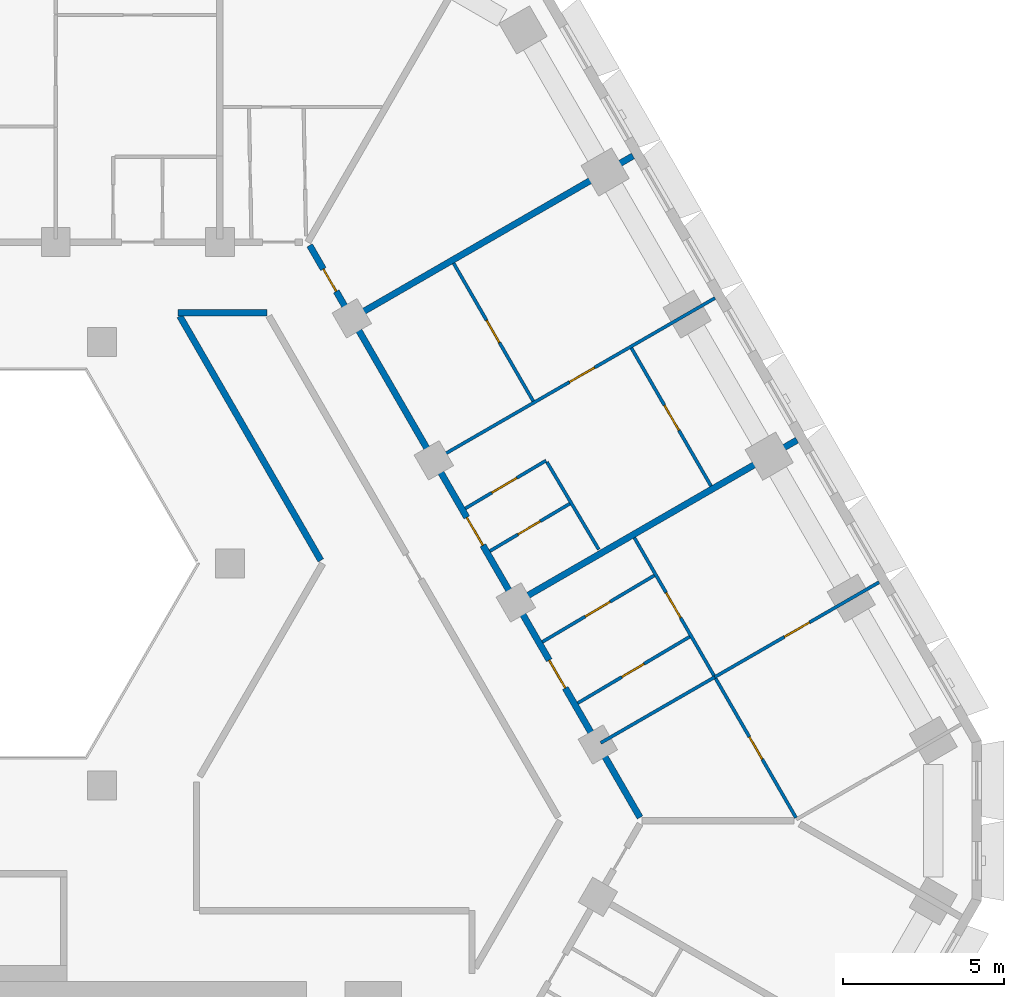
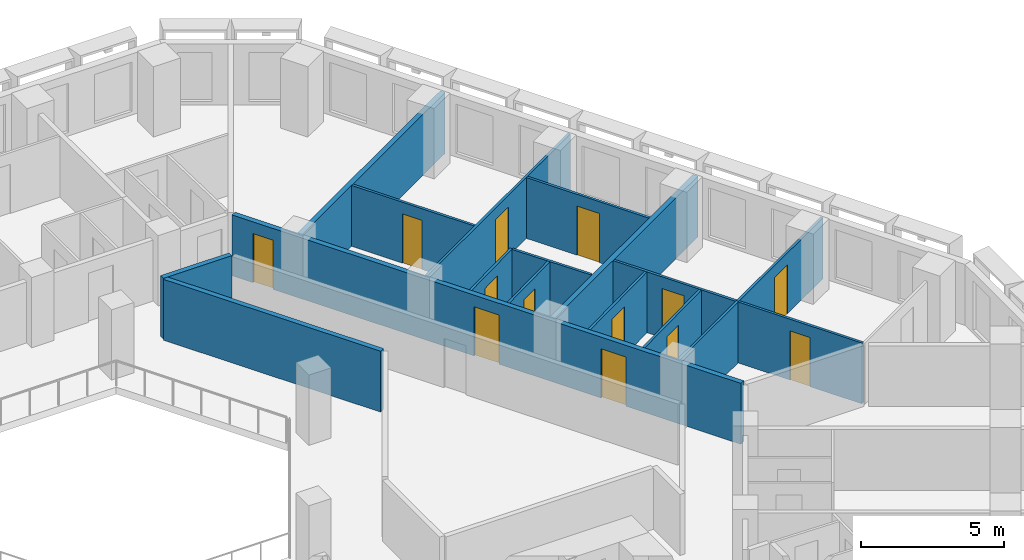
# One storey, part 11 of 21: 16 walls, 13 doors, 13 openings.
"""IFC4 building model written with IfcOpenShell, lengths in metres."""

from ifc_helpers import new_model, si_unit, direction, frame, frame_2d, origin, place, context, subcontext, project, spatial, rectangle, extrude, material, layer, layer_set, type_object, element, fill, save


model = new_model("IFC4")

# Units and contexts
model_context = context("Model", 3, precision=1e-05, world=origin(), true_north=direction((0.0, 1.0)))
body_context = subcontext(model_context, "Body", "Model", "MODEL_VIEW")
ifc_project = project(units=[si_unit("LENGTHUNIT", "METRE"), si_unit("AREAUNIT", "SQUARE_METRE"), si_unit("VOLUMEUNIT", "CUBIC_METRE"), si_unit("PLANEANGLEUNIT", "RADIAN"), si_unit("MASSUNIT", "GRAM", prefix="KILO")], contexts=[model_context])

# Site, building, storey
site_placement = place(None, origin())
site = spatial("IfcSite", under=ifc_project, at=site_placement, CompositionType="ELEMENT")
building_placement = place(site_placement, origin())
building = spatial("IfcBuilding", under=site, at=building_placement, Name="Beryl Residences", CompositionType="ELEMENT")
storey_placement = place(building_placement, frame((0.0, 0.0, 59.39990234375)))
storey = spatial("IfcBuildingStorey", under=building, at=storey_placement, Name="L18", CompositionType="ELEMENT", Elevation=59.39990234375)

# Wall
ifc_material_1 = material(Name="Gypsum board partition on steel studs", Category="steel")
ifc_layer_1 = layer(ifc_material_1, 0.10009765625)
ifc_layer_set_1 = layer_set([ifc_layer_1], Name="PT1 partition 100 mm gypsum board on steel studs")
wall_type_1 = type_object("IfcWallType", Name="PT1 partition 100 mm gypsum board on steel studs", PredefinedType="PARTITIONING", material=ifc_layer_set_1)
wall_1_placement = place(storey_placement, frame((17.830078125, 11.160888671875, 0.0), z_axis=(0.0, 0.0, 1.0), x_axis=(0.510041341082, -0.860149888326, 0.0)))
element("IfcWall", 1, at=wall_1_placement, inside=storey, type_object=wall_type_1, Name="Wall PT1 L18 001", PredefinedType="PARTITIONING", context=body_context, shape_type="SweptSolid", body=[
    extrude(rectangle(XDim=3.16455078125, YDim=0.10009765625, at=frame_2d((1.582275390625, 0.0))), origin(), (0.0, 0.0, 1.0), 2.60009765625),
])

# Wall, opening, door
wall_2_placement = place(storey_placement, frame((14.927978515625, 17.343994140625, 0.0), z_axis=(0.0, 0.0, 1.0), x_axis=(0.499881743012, -0.866093668724, 0.0)))
wall_2 = element("IfcWall", 2, at=wall_2_placement, inside=storey, type_object=wall_type_1, Name="Wall PT1 L18 003", PredefinedType="PARTITIONING", context=body_context, shape_type="SweptSolid", body=[
    extrude(rectangle(XDim=4.953369140625, YDim=0.10009765625, at=frame_2d((2.4765625, 0.0))), origin(), (0.0, 0.0, 1.0), 2.60009765625),
])
opening_1_placement = place(wall_2_placement, frame((2.052001953125, 0.0, 0.0)))
opening_1 = element("IfcOpeningElement", 3, at=opening_1_placement, cuts=wall_2, Name="Opening D0313", PredefinedType="OPENING", context=body_context, shape_type="SweptSolid", body=[
    extrude(rectangle(XDim=0.800048828125, YDim=2.10009765625, at=frame_2d((0.39990234375, 1.050048828125))), frame((0.0, 0.06005859375, 0.0), z_axis=(0.0, -1.0, 0.0), x_axis=(1.0, 0.0, 0.0)), (0.0, 0.0, 1.0), 0.1201171875),
])
ifc_material_2 = material(Name="Timber door leaf", Category="wood")
door_type_1 = type_object("IfcDoorType", Name="D3 bathroom door 800 x 2100 mm", OperationType="SINGLE_SWING_LEFT", PredefinedType="DOOR", material=ifc_material_2)
door_1_placement = place(opening_1_placement, origin())
door_1 = element("IfcDoor", 4, at=door_1_placement, inside=storey, type_object=door_type_1, Name="Door D0313 L18 001", OperationType="SINGLE_SWING_LEFT", OverallHeight=2.10009765625, OverallWidth=0.800048828125, PredefinedType="DOOR", context=body_context, shape_type="SweptSolid", body=[
    extrude(rectangle(XDim=0.800048828125, YDim=2.10009765625, at=frame_2d((0.39990234375, 1.050048828125))), frame((0.0, 0.02490234375, 0.0), z_axis=(0.0, -1.0, 0.0), x_axis=(1.0, 0.0, 0.0)), (0.0, 0.0, 1.0), 0.050048828125),
])
fill(opening_1, door_1)

# Wall, openings, doors
wall_3_placement = place(storey_placement, frame((20.551025390625, 8.804931640625, 0.0), z_axis=(0.0, 0.0, 1.0), x_axis=(0.499984387913, -0.86603441724, 0.0)))
wall_3 = element("IfcWall", 5, at=wall_3_placement, inside=storey, type_object=wall_type_1, Name="Wall PT1 L18 004", PredefinedType="PARTITIONING", context=body_context, shape_type="SweptSolid", body=[
    extrude(rectangle(XDim=10.058349609375, YDim=0.10009765625, at=frame_2d((5.029296875, 0.0))), origin(), (0.0, 0.0, 1.0), 2.60009765625),
])
opening_2_placement = place(wall_3_placement, frame((1.97802734375, 0.0, 0.0)))
opening_2 = element("IfcOpeningElement", 6, at=opening_2_placement, cuts=wall_3, Name="Opening D0304", PredefinedType="OPENING", context=body_context, shape_type="SweptSolid", body=[
    extrude(rectangle(XDim=0.89990234375, YDim=2.10009765625, at=frame_2d((0.449951171875, 1.050048828125))), frame((0.0, 0.06005859375, 0.0), z_axis=(0.0, -1.0, 0.0), x_axis=(1.0, 0.0, 0.0)), (0.0, 0.0, 1.0), 0.1201171875),
])
opening_3_placement = place(wall_3_placement, frame((7.156982421875, 0.0, 0.0)))
opening_3 = element("IfcOpeningElement", 7, at=opening_3_placement, cuts=wall_3, Name="Opening D0307", PredefinedType="OPENING", context=body_context, shape_type="SweptSolid", body=[
    extrude(rectangle(XDim=0.800048828125, YDim=2.10009765625, at=frame_2d((0.39990234375, 1.050048828125))), frame((0.0, 0.06005859375, 0.0), z_axis=(0.0, -1.0, 0.0), x_axis=(1.0, 0.0, 0.0)), (0.0, 0.0, 1.0), 0.1201171875),
])
ifc_material_3 = material(Name="Timber door leaf", Category="wood")
door_type_2 = type_object("IfcDoorType", Name="D2 room door 900 x 2100 mm", OperationType="SINGLE_SWING_LEFT", PredefinedType="DOOR", material=ifc_material_3)
door_2_placement = place(opening_2_placement, origin())
door_2 = element("IfcDoor", 8, at=door_2_placement, inside=storey, type_object=door_type_2, Name="Door D0304 L18 001", OperationType="SINGLE_SWING_RIGHT", OverallHeight=2.10009765625, OverallWidth=0.89990234375, PredefinedType="DOOR", context=body_context, shape_type="SweptSolid", body=[
    extrude(rectangle(XDim=0.89990234375, YDim=2.10009765625, at=frame_2d((0.449951171875, 1.050048828125))), frame((0.0, 0.02490234375, 0.0), z_axis=(0.0, -1.0, 0.0), x_axis=(1.0, 0.0, 0.0)), (0.0, 0.0, 1.0), 0.050048828125),
])
fill(opening_2, door_2)
door_3_placement = place(opening_3_placement, origin())
door_3 = element("IfcDoor", 9, at=door_3_placement, inside=storey, type_object=door_type_1, Name="Door D0307 L18 001", OperationType="SINGLE_SWING_LEFT", OverallHeight=2.10009765625, OverallWidth=0.800048828125, PredefinedType="DOOR", context=body_context, shape_type="SweptSolid", body=[
    extrude(rectangle(XDim=0.800048828125, YDim=2.10009765625, at=frame_2d((0.39990234375, 1.050048828125))), frame((0.0, 0.02490234375, 0.0), z_axis=(0.0, -1.0, 0.0), x_axis=(1.0, 0.0, 0.0)), (0.0, 0.0, 1.0), 0.050048828125),
])
fill(opening_3, door_3)

# Wall, opening, door
wall_4_placement = place(storey_placement, frame((20.4599609375, 14.702880859375, 0.0), z_axis=(0.0, 0.0, 1.0), x_axis=(0.499903082856, -0.866081351693, 0.0)))
wall_4 = element("IfcWall", 10, at=wall_4_placement, inside=storey, type_object=wall_type_1, Name="Wall PT1 L18 005", PredefinedType="PARTITIONING", context=body_context, shape_type="SweptSolid", body=[
    extrude(rectangle(XDim=4.953125, YDim=0.10009765625, at=frame_2d((2.4765625, 0.0))), origin(), (0.0, 0.0, 1.0), 2.60009765625),
])
opening_4_placement = place(wall_4_placement, frame((2.052001953125, 0.0, 0.0)))
opening_4 = element("IfcOpeningElement", 11, at=opening_4_placement, cuts=wall_4, Name="Opening D0311", PredefinedType="OPENING", context=body_context, shape_type="SweptSolid", body=[
    extrude(rectangle(XDim=0.89990234375, YDim=2.10009765625, at=frame_2d((0.449951171875, 1.050048828125))), frame((0.0, 0.06005859375, 0.0), z_axis=(0.0, -1.0, 0.0), x_axis=(1.0, 0.0, 0.0)), (0.0, 0.0, 1.0), 0.1201171875),
])
door_4_placement = place(opening_4_placement, origin())
door_4 = element("IfcDoor", 12, at=door_4_placement, inside=storey, type_object=door_type_2, Name="Door D0311 L18 001", OperationType="SINGLE_SWING_LEFT", OverallHeight=2.10009765625, OverallWidth=0.89990234375, PredefinedType="DOOR", context=body_context, shape_type="SweptSolid", body=[
    extrude(rectangle(XDim=0.89990234375, YDim=2.10009765625, at=frame_2d((0.449951171875, 1.050048828125))), frame((0.0, 0.02490234375, 0.0), z_axis=(0.0, -1.0, 0.0), x_axis=(1.0, 0.0, 0.0)), (0.0, 0.0, 1.0), 0.050048828125),
])
fill(opening_4, door_4)

# Wall
wall_5_placement = place(storey_placement, frame((19.5029296875, 2.4208984375, 0.0), z_axis=(0.0, 0.0, 1.0), x_axis=(0.866083434238, 0.499899474834, 0.0)))
element("IfcWall", 13, at=wall_5_placement, inside=storey, type_object=wall_type_1, Name="Wall PT1 L18 069", PredefinedType="PARTITIONING", context=body_context, shape_type="SweptSolid", body=[
    extrude(rectangle(XDim=4.098876953125, YDim=0.10009765625, at=frame_2d((2.04931640625, 0.0))), origin(), (0.0, 0.0, 1.0), 2.60009765625),
])

# Wall, opening, door
wall_6_placement = place(storey_placement, frame((14.39892578125, 11.260986328125, 0.0), z_axis=(0.0, 0.0, 1.0), x_axis=(0.866022959057, 0.500004234368, 0.0)))
wall_6 = element("IfcWall", 14, at=wall_6_placement, inside=storey, type_object=wall_type_1, Name="Wall PT1 L18 073", PredefinedType="PARTITIONING", context=body_context, shape_type="SweptSolid", body=[
    extrude(rectangle(XDim=10.0, YDim=0.10009765625, at=frame_2d((5.0, 0.0))), origin(), (0.0, 0.0, 1.0), 2.60009765625),
])
opening_5_placement = place(wall_6_placement, frame((4.77490234375, 0.0, 0.0)))
opening_5 = element("IfcOpeningElement", 15, at=opening_5_placement, cuts=wall_6, Name="Opening D0312", PredefinedType="OPENING", context=body_context, shape_type="SweptSolid", body=[
    extrude(rectangle(XDim=0.89990234375, YDim=2.10009765625, at=frame_2d((0.449951171875, 1.050048828125))), frame((0.0, 0.06005859375, 0.0), z_axis=(0.0, -1.0, 0.0), x_axis=(1.0, 0.0, 0.0)), (0.0, 0.0, 1.0), 0.1201171875),
])
door_5_placement = place(opening_5_placement, origin())
door_5 = element("IfcDoor", 16, at=door_5_placement, inside=storey, type_object=door_type_2, Name="Door D0312 L18 001", OperationType="SINGLE_SWING_RIGHT", OverallHeight=2.10009765625, OverallWidth=0.89990234375, PredefinedType="DOOR", context=body_context, shape_type="SweptSolid", body=[
    extrude(rectangle(XDim=0.89990234375, YDim=2.10009765625, at=frame_2d((0.449951171875, 1.050048828125))), frame((0.0, 0.02490234375, 0.0), z_axis=(0.0, -1.0, 0.0), x_axis=(1.0, 0.0, 0.0)), (0.0, 0.0, 1.0), 0.050048828125),
])
fill(opening_5, door_5)

wall_7_placement = place(storey_placement, frame((17.68798828125, 5.56298828125, 0.0), z_axis=(0.0, 0.0, 1.0), x_axis=(0.860050619918, 0.510208713351, 0.0)))
wall_7 = element("IfcWall", 17, at=wall_7_placement, inside=storey, type_object=wall_type_1, Name="Wall PT1 L18 074", PredefinedType="PARTITIONING", context=body_context, shape_type="SweptSolid", body=[
    extrude(rectangle(XDim=4.051025390625, YDim=0.10009765625, at=frame_2d((2.025390625, 0.0))), origin(), (0.0, 0.0, 1.0), 2.60009765625),
])
opening_6_placement = place(wall_7_placement, frame((1.550048828125, 0.0, 0.0)))
opening_6 = element("IfcOpeningElement", 18, at=opening_6_placement, cuts=wall_7, Name="Opening D0303", PredefinedType="OPENING", context=body_context, shape_type="SweptSolid", body=[
    extrude(rectangle(XDim=0.89990234375, YDim=2.10009765625, at=frame_2d((0.449951171875, 1.050048828125))), frame((0.0, 0.06005859375, 0.0), z_axis=(0.0, -1.0, 0.0), x_axis=(1.0, 0.0, 0.0)), (0.0, 0.0, 1.0), 0.1201171875),
])
door_6_placement = place(opening_6_placement, origin())
door_6 = element("IfcDoor", 19, at=door_6_placement, inside=storey, type_object=door_type_2, Name="Door D0303 L18 001", OperationType="SINGLE_SWING_LEFT", OverallHeight=2.10009765625, OverallWidth=0.89990234375, PredefinedType="DOOR", context=body_context, shape_type="SweptSolid", body=[
    extrude(rectangle(XDim=0.89990234375, YDim=2.10009765625, at=frame_2d((0.449951171875, 1.050048828125))), frame((0.0, 0.02490234375, 0.0), z_axis=(0.0, -1.0, 0.0), x_axis=(1.0, 0.0, 0.0)), (0.0, 0.0, 1.0), 0.050048828125),
])
fill(opening_6, door_6)

wall_8_placement = place(storey_placement, frame((18.7880859375, 3.657958984375, 0.0), z_axis=(0.0, 0.0, 1.0), x_axis=(0.860114269096, 0.510101405701, 0.0)))
wall_8 = element("IfcWall", 20, at=wall_8_placement, inside=storey, type_object=wall_type_1, Name="Wall PT1 L18 075", PredefinedType="PARTITIONING", context=body_context, shape_type="SweptSolid", body=[
    extrude(rectangle(XDim=4.050537109375, YDim=0.10009765625, at=frame_2d((2.025390625, 0.0))), origin(), (0.0, 0.0, 1.0), 2.60009765625),
])
opening_7_placement = place(wall_8_placement, frame((1.60009765625, 0.0, 0.0)))
opening_7 = element("IfcOpeningElement", 21, at=opening_7_placement, cuts=wall_8, Name="Opening D0302", PredefinedType="OPENING", context=body_context, shape_type="SweptSolid", body=[
    extrude(rectangle(XDim=0.800048828125, YDim=2.10009765625, at=frame_2d((0.39990234375, 1.050048828125))), frame((0.0, 0.06005859375, 0.0), z_axis=(0.0, -1.0, 0.0), x_axis=(1.0, 0.0, 0.0)), (0.0, 0.0, 1.0), 0.1201171875),
])
door_7_placement = place(opening_7_placement, origin())
door_7 = element("IfcDoor", 22, at=door_7_placement, inside=storey, type_object=door_type_1, Name="Door D0302 L18 001", OperationType="SINGLE_SWING_RIGHT", OverallHeight=2.10009765625, OverallWidth=0.800048828125, PredefinedType="DOOR", context=body_context, shape_type="SweptSolid", body=[
    extrude(rectangle(XDim=0.800048828125, YDim=2.10009765625, at=frame_2d((0.39990234375, 1.050048828125))), frame((0.0, 0.02490234375, 0.0), z_axis=(0.0, -1.0, 0.0), x_axis=(1.0, 0.0, 0.0)), (0.0, 0.0, 1.0), 0.050048828125),
])
fill(opening_7, door_7)

wall_9_placement = place(storey_placement, frame((16.056884765625, 8.388916015625, 0.0), z_axis=(0.0, 0.0, 1.0), x_axis=(0.860069107001, 0.510177548686, 0.0)))
wall_9 = element("IfcWall", 23, at=wall_9_placement, inside=storey, type_object=wall_type_1, Name="Wall PT1 L18 076", PredefinedType="PARTITIONING", context=body_context, shape_type="SweptSolid", body=[
    extrude(rectangle(XDim=2.889404296875, YDim=0.10009765625, at=frame_2d((1.44482421875, 0.0))), origin(), (0.0, 0.0, 1.0), 2.60009765625),
])
opening_8_placement = place(wall_9_placement, frame((1.01904296875, 0.0, 0.0)))
opening_8 = element("IfcOpeningElement", 24, at=opening_8_placement, cuts=wall_9, Name="Opening D0310", PredefinedType="OPENING", context=body_context, shape_type="SweptSolid", body=[
    extrude(rectangle(XDim=0.800048828125, YDim=2.10009765625, at=frame_2d((0.39990234375, 1.050048828125))), frame((0.0, 0.06005859375, 0.0), z_axis=(0.0, -1.0, 0.0), x_axis=(1.0, 0.0, 0.0)), (0.0, 0.0, 1.0), 0.1201171875),
])
door_8_placement = place(opening_8_placement, origin())
door_8 = element("IfcDoor", 25, at=door_8_placement, inside=storey, type_object=door_type_1, Name="Door D0310 L18 001", OperationType="SINGLE_SWING_RIGHT", OverallHeight=2.10009765625, OverallWidth=0.800048828125, PredefinedType="DOOR", context=body_context, shape_type="SweptSolid", body=[
    extrude(rectangle(XDim=0.800048828125, YDim=2.10009765625, at=frame_2d((0.39990234375, 1.050048828125))), frame((0.0, 0.02490234375, 0.0), z_axis=(0.0, -1.0, 0.0), x_axis=(1.0, 0.0, 0.0)), (0.0, 0.0, 1.0), 0.050048828125),
])
fill(opening_8, door_8)

wall_10_placement = place(storey_placement, frame((15.291015625, 9.715087890625, 0.0), z_axis=(0.0, 0.0, 1.0), x_axis=(0.860078277555, 0.510162088436, 0.0)))
wall_10 = element("IfcWall", 26, at=wall_10_placement, inside=storey, type_object=wall_type_1, Name="Wall PT1 L18 077", PredefinedType="PARTITIONING", context=body_context, shape_type="SweptSolid", body=[
    extrude(rectangle(XDim=2.920654296875, YDim=0.10009765625, at=frame_2d((1.46044921875, 0.0))), origin(), (0.0, 0.0, 1.0), 2.60009765625),
])
opening_9_placement = place(wall_10_placement, frame((0.9599609375, 0.0, 0.0)))
opening_9 = element("IfcOpeningElement", 27, at=opening_9_placement, cuts=wall_10, Name="Opening D0309", PredefinedType="OPENING", context=body_context, shape_type="SweptSolid", body=[
    extrude(rectangle(XDim=0.89990234375, YDim=2.10009765625, at=frame_2d((0.449951171875, 1.050048828125))), frame((0.0, 0.06005859375, 0.0), z_axis=(0.0, -1.0, 0.0), x_axis=(1.0, 0.0, 0.0)), (0.0, 0.0, 1.0), 0.1201171875),
])
door_9_placement = place(opening_9_placement, origin())
door_9 = element("IfcDoor", 28, at=door_9_placement, inside=storey, type_object=door_type_2, Name="Door D0309 L18 001", OperationType="SINGLE_SWING_LEFT", OverallHeight=2.10009765625, OverallWidth=0.89990234375, PredefinedType="DOOR", context=body_context, shape_type="SweptSolid", body=[
    extrude(rectangle(XDim=0.89990234375, YDim=2.10009765625, at=frame_2d((0.449951171875, 1.050048828125))), frame((0.0, 0.02490234375, 0.0), z_axis=(0.0, -1.0, 0.0), x_axis=(1.0, 0.0, 0.0)), (0.0, 0.0, 1.0), 0.050048828125),
])
fill(opening_9, door_9)

wall_11_placement = place(storey_placement, frame((23.052978515625, 4.469970703125, 0.0), z_axis=(0.0, 0.0, 1.0), x_axis=(0.866052608538, 0.499952877023, 0.0)))
wall_11 = element("IfcWall", 29, at=wall_11_placement, inside=storey, type_object=wall_type_1, Name="Wall PT1 L18 079", PredefinedType="PARTITIONING", context=body_context, shape_type="SweptSolid", body=[
    extrude(rectangle(XDim=5.900390625, YDim=0.10009765625, at=frame_2d((2.9501953125, 0.0))), origin(), (0.0, 0.0, 1.0), 2.60009765625),
])
opening_10_placement = place(wall_11_placement, frame((2.5009765625, 0.0, 0.0)))
opening_10 = element("IfcOpeningElement", 30, at=opening_10_placement, cuts=wall_11, Name="Opening D0305", PredefinedType="OPENING", context=body_context, shape_type="SweptSolid", body=[
    extrude(rectangle(XDim=0.89990234375, YDim=2.10009765625, at=frame_2d((0.449951171875, 1.050048828125))), frame((0.0, 0.06005859375, 0.0), z_axis=(0.0, -1.0, 0.0), x_axis=(1.0, 0.0, 0.0)), (0.0, 0.0, 1.0), 0.1201171875),
])
door_10_placement = place(opening_10_placement, origin())
door_10 = element("IfcDoor", 31, at=door_10_placement, inside=storey, type_object=door_type_2, Name="Door D0305 L18 001", OperationType="SINGLE_SWING_LEFT", OverallHeight=2.10009765625, OverallWidth=0.89990234375, PredefinedType="DOOR", context=body_context, shape_type="SweptSolid", body=[
    extrude(rectangle(XDim=0.89990234375, YDim=2.10009765625, at=frame_2d((0.449951171875, 1.050048828125))), frame((0.0, 0.02490234375, 0.0), z_axis=(0.0, -1.0, 0.0), x_axis=(1.0, 0.0, 0.0)), (0.0, 0.0, 1.0), 0.050048828125),
])
fill(opening_10, door_10)

# Walls
ifc_material_4 = material(Name="Acoustic double stud gypsum board wall")
ifc_layer_2 = layer(ifc_material_4, 0.199951171875)
ifc_layer_set_2 = layer_set([ifc_layer_2], Name="PT3 party wall 200 mm acoustic double stud")
wall_type_2 = type_object("IfcWallType", Name="PT3 party wall 200 mm acoustic double stud", PredefinedType="PARTITIONING", material=ifc_layer_set_2)
for number, where, z_axis, x_axis, name in (
    (32, (16.949951171875, 6.841064453125, 0.0), (0.0, 0.0, 1.0), (0.866022959057, 0.500004234368, 0.0), "Wall PT3 L18 028"),
    (33, (11.846923828125, 15.680908203125, 0.0), (0.0, 0.0, 1.0), (0.866022959057, 0.500004234368, 0.0), "Wall PT3 L18 029"),
):
    element("IfcWall", number, at=place(storey_placement, frame(where, z_axis=z_axis, x_axis=x_axis)), inside=storey, type_object=wall_type_2, Name=name, PredefinedType="PARTITIONING", context=body_context, shape_type="SweptSolid", body=[
        extrude(rectangle(XDim=10.0, YDim=0.199951171875, at=frame_2d((5.0, 0.0))), origin(), (0.0, 0.0, 1.0), 2.60009765625),
    ])
ifc_material_5 = material(Name="Double stud gypsum board wall")
ifc_layer_3 = layer(ifc_material_5, 0.199951171875)
ifc_layer_set_3 = layer_set([ifc_layer_3], Name="PT4 corridor wall 200 mm double stud")
wall_type_3 = type_object("IfcWallType", Name="PT4 corridor wall 200 mm double stud", PredefinedType="PARTITIONING", material=ifc_layer_set_3)
wall_12_placement = place(storey_placement, frame((6.408935546875, 15.699951171875, 0.0), z_axis=(0.0, 0.0, 1.0), x_axis=(0.499930377127, -0.866065596838, 0.0)))
element("IfcWall", 34, at=wall_12_placement, inside=storey, type_object=wall_type_3, Name="Wall PT4 L18 004", PredefinedType="PARTITIONING", context=body_context, shape_type="SweptSolid", body=[
    extrude(rectangle(XDim=8.775146484375, YDim=0.199951171875, at=frame_2d((4.3876953125, 0.0))), origin(), (0.0, 0.0, 1.0), 2.60009765625),
])

# Wall, openings, doors
wall_13_placement = place(storey_placement, frame((10.449951171875, 17.89990234375, 0.0), z_axis=(0.0, 0.0, 1.0), x_axis=(0.500034352617, -0.866005569383, 0.0)))
wall_13 = element("IfcWall", 35, at=wall_13_placement, inside=storey, type_object=wall_type_3, Name="Wall PT4 L18 006", PredefinedType="PARTITIONING", context=body_context, shape_type="SweptSolid", body=[
    extrude(rectangle(XDim=20.552734375, YDim=0.199951171875, at=frame_2d((10.2763671875, 0.0))), origin(), (0.0, 0.0, 1.0), 2.60009765625),
])
opening_11_placement = place(wall_13_placement, frame((14.903076171875, 0.0, 0.0)))
opening_11 = element("IfcOpeningElement", 36, at=opening_11_placement, cuts=wall_13, Name="Opening D0301", PredefinedType="OPENING", context=body_context, shape_type="SweptSolid", body=[
    extrude(rectangle(XDim=1.0, YDim=2.10009765625, at=frame_2d((0.5, 1.050048828125))), frame((0.0, 0.10986328125, 0.0), z_axis=(0.0, -1.0, 0.0), x_axis=(1.0, 0.0, 0.0)), (0.0, 0.0, 1.0), 0.219970703125),
])
opening_12_placement = place(wall_13_placement, frame((9.77490234375, 0.0, 0.0)))
opening_12 = element("IfcOpeningElement", 37, at=opening_12_placement, cuts=wall_13, Name="Opening D0308", PredefinedType="OPENING", context=body_context, shape_type="SweptSolid", body=[
    extrude(rectangle(XDim=1.0, YDim=2.10009765625, at=frame_2d((0.5, 1.050048828125))), frame((0.0, 0.10986328125, 0.0), z_axis=(0.0, -1.0, 0.0), x_axis=(1.0, 0.0, 0.0)), (0.0, 0.0, 1.0), 0.219970703125),
])
opening_13_placement = place(wall_13_placement, frame((0.85205078125, 0.0, 0.0)))
opening_13 = element("IfcOpeningElement", 38, at=opening_13_placement, cuts=wall_13, Name="Opening D0314", PredefinedType="OPENING", context=body_context, shape_type="SweptSolid", body=[
    extrude(rectangle(XDim=0.800048828125, YDim=2.10009765625, at=frame_2d((0.39990234375, 1.050048828125))), frame((0.0, 0.10986328125, 0.0), z_axis=(0.0, -1.0, 0.0), x_axis=(1.0, 0.0, 0.0)), (0.0, 0.0, 1.0), 0.219970703125),
])
ifc_material_6 = material(Name="Timber door leaf", Category="wood")
door_type_3 = type_object("IfcDoorType", Name="D1 flat entrance door 1000 x 2100 mm", OperationType="SINGLE_SWING_LEFT", PredefinedType="DOOR", material=ifc_material_6)
door_11_placement = place(opening_11_placement, origin())
door_11 = element("IfcDoor", 39, at=door_11_placement, inside=storey, type_object=door_type_3, Name="Door D0301 L18 001", OperationType="SINGLE_SWING_LEFT", OverallHeight=2.10009765625, OverallWidth=1.0, PredefinedType="DOOR", context=body_context, shape_type="SweptSolid", body=[
    extrude(rectangle(XDim=1.0, YDim=2.10009765625, at=frame_2d((0.5, 1.050048828125))), frame((0.0, 0.02490234375, 0.0), z_axis=(0.0, -1.0, 0.0), x_axis=(1.0, 0.0, 0.0)), (0.0, 0.0, 1.0), 0.050048828125),
])
fill(opening_11, door_11)
door_12_placement = place(opening_12_placement, origin())
door_12 = element("IfcDoor", 40, at=door_12_placement, inside=storey, type_object=door_type_3, Name="Door D0308 L18 001", OperationType="SINGLE_SWING_RIGHT", OverallHeight=2.10009765625, OverallWidth=1.0, PredefinedType="DOOR", context=body_context, shape_type="SweptSolid", body=[
    extrude(rectangle(XDim=1.0, YDim=2.10009765625, at=frame_2d((0.5, 1.050048828125))), frame((0.0, 0.02490234375, 0.0), z_axis=(0.0, -1.0, 0.0), x_axis=(1.0, 0.0, 0.0)), (0.0, 0.0, 1.0), 0.050048828125),
])
fill(opening_12, door_12)
door_13_placement = place(opening_13_placement, origin())
door_13 = element("IfcDoor", 41, at=door_13_placement, inside=storey, type_object=door_type_1, Name="Door D0314 L18 001", OperationType="SINGLE_SWING_RIGHT", OverallHeight=2.10009765625, OverallWidth=0.800048828125, PredefinedType="DOOR", context=body_context, shape_type="SweptSolid", body=[
    extrude(rectangle(XDim=0.800048828125, YDim=2.10009765625, at=frame_2d((0.39990234375, 1.050048828125))), frame((0.0, 0.02490234375, 0.0), z_axis=(0.0, -1.0, 0.0), x_axis=(1.0, 0.0, 0.0)), (0.0, 0.0, 1.0), 0.050048828125),
])
fill(opening_13, door_13)

# Wall
wall_14_placement = place(storey_placement, frame((6.35107421875, 15.800048828125, 0.0), z_axis=(0.0, 0.0, 1.0), x_axis=(1.0, 0.0, 0.0)))
element("IfcWall", 42, at=wall_14_placement, inside=storey, type_object=wall_type_3, Name="Wall PT4 L18 016", PredefinedType="PARTITIONING", context=body_context, shape_type="SweptSolid", body=[
    extrude(rectangle(XDim=2.77099609375, YDim=0.199951171875, at=frame_2d((1.385498046875, 0.0))), origin(), (0.0, 0.0, 1.0), 2.60009765625),
])

save(model, "model.ifc")
